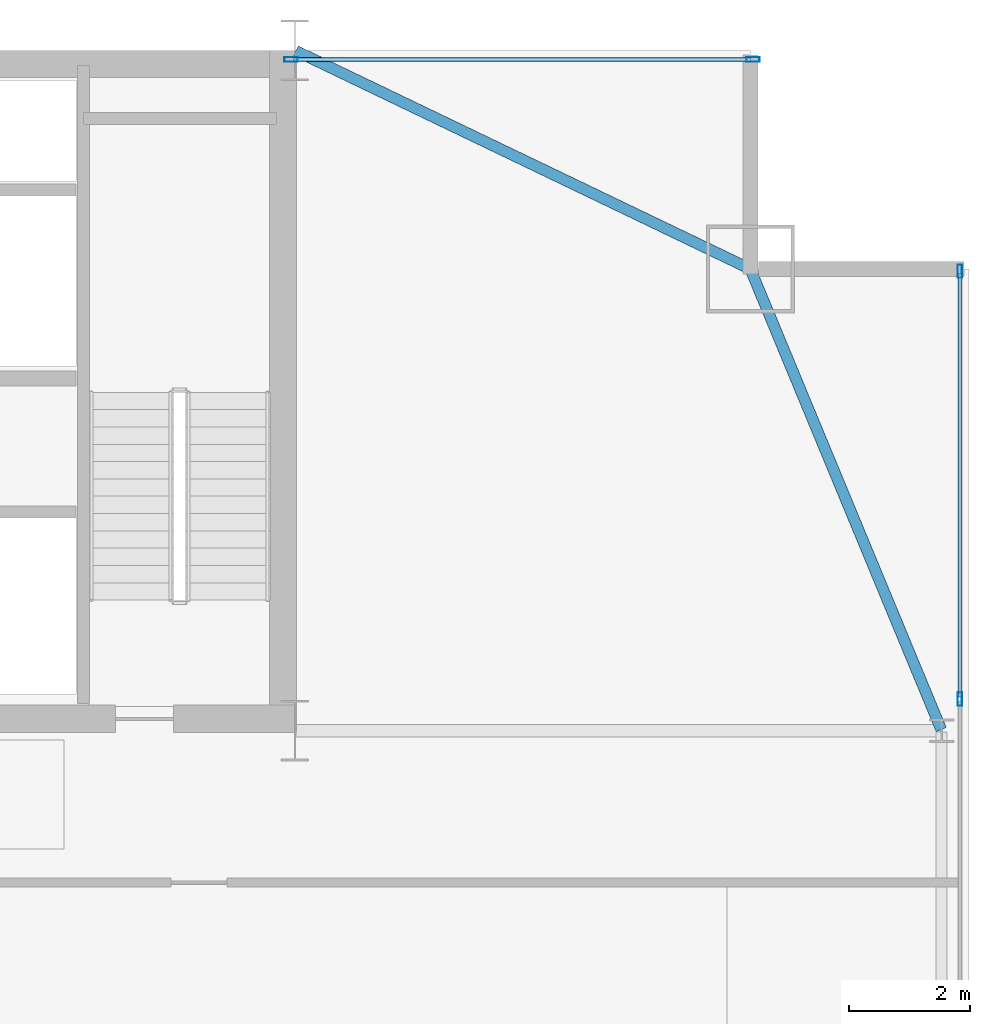
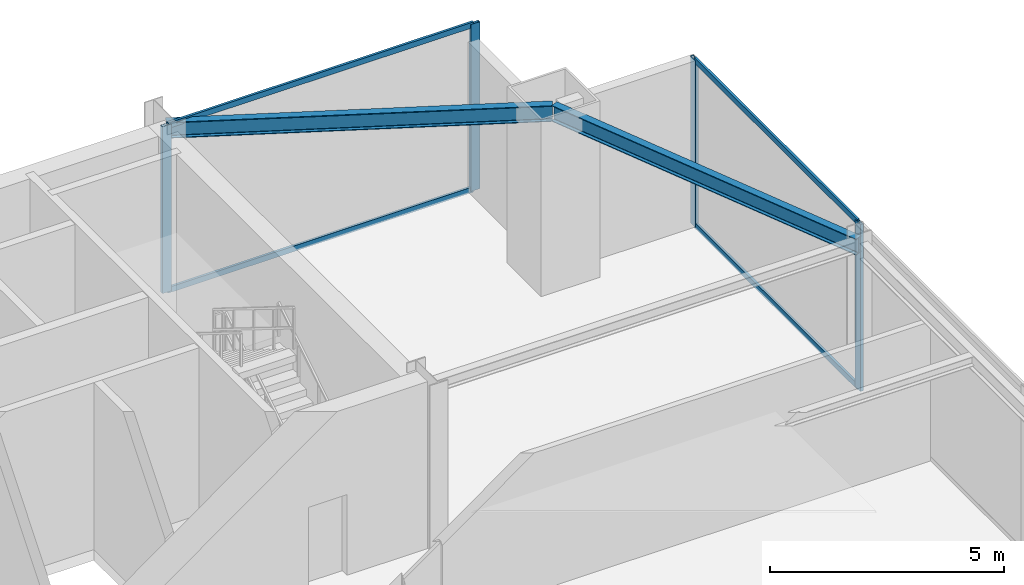
# One storey, part 27 of 32: 8 members, 2 beams, 2 elements without a shape of their own.
"""IFC4 building model written with IfcOpenShell, lengths in metres."""

from ifc_helpers import new_model, si_unit, direction, frame, origin, origin_2d, place, context, subcontext, project, spatial, hollow_rectangle, i_section, extrude, source, transform, mapped, material, layer, layer_set, material_profile, profile_set, type_object, type_shapes, element, aggregate, save


model = new_model("IFC4")

# Units and contexts
model_context = context("Model", 3, precision=1e-05, world=origin(), true_north=direction((0.0, 1.0)))
body_context = subcontext(model_context, "Body", "Model", "MODEL_VIEW")
ifc_project = project(units=[si_unit("LENGTHUNIT", "METRE"), si_unit("AREAUNIT", "SQUARE_METRE"), si_unit("VOLUMEUNIT", "CUBIC_METRE"), si_unit("PLANEANGLEUNIT", "RADIAN"), si_unit("MASSUNIT", "GRAM", prefix="KILO")], contexts=[model_context])

# Site, building, storey
site_placement = place(None, origin())
site = spatial("IfcSite", under=ifc_project, at=site_placement, CompositionType="ELEMENT")
building_placement = place(site_placement, origin())
building = spatial("IfcBuilding", under=site, at=building_placement, Name="Varnel Quay Broadcast Tower", CompositionType="ELEMENT")
storey_placement = place(building_placement, frame((0.0, 0.0, 98.39990234375)))
storey = spatial("IfcBuildingStorey", under=building, at=storey_placement, Name="L23", CompositionType="ELEMENT", Elevation=98.39990234375)

# Beams
ifc_material_1 = material(Name="Structural Steel CSA G40.21 350W", Category="steel")
ifc_material_profile_1 = material_profile(ifc_material_1, i_section(OverallWidth=0.180908203125, OverallDepth=0.4169921875, WebThickness=0.010986328125, FlangeThickness=0.018310546875, FilletRadius=0.011962890625, at=origin_2d()), Name="W410X85")
ifc_profile_set_1 = profile_set([ifc_material_profile_1], Name="Structural Steel CSA G40.21 350W")
beam_type = type_object("IfcBeamType", Name="Beam_W410X85", PredefinedType="SPANDREL", material=ifc_profile_set_1)
shared_shape_1 = source(origin(), body_context, "Body", "SweptSolid", [
    extrude(i_section(OverallWidth=0.180908203125, OverallDepth=0.4169921875, WebThickness=0.010986328125, FlangeThickness=0.018310546875, FilletRadius=0.011962890625, at=origin_2d()), origin(), (0.0, 0.0, 1.0), 8.186767578125),
])
beam_1_placement = place(storey_placement, frame((63.042236328125, 35.618408203125, 4.1416015625), z_axis=(-0.382874132092, 0.923800519038, 0.0), x_axis=(-0.923800519038, -0.382874132092, 0.0)))
element("IfcBeam", 1, at=beam_1_placement, inside=storey, type_object=beam_type, Name="L23 East Spandrel TC-E3-MC-NE", PredefinedType="SPANDREL", context=body_context, shape_type="MappedRepresentation", body=[
    mapped(shared_shape_1, transform((0.0, 0.0, 0.0), x_axis=(1.0, 0.0, 0.0), y_axis=(0.0, 1.0, 0.0), z_axis=(0.0, 0.0, 1.0), scale=1.0)),
])
shared_shape_2 = source(origin(), body_context, "Body", "SweptSolid", [
    extrude(i_section(OverallWidth=0.180908203125, OverallDepth=0.4169921875, WebThickness=0.010986328125, FlangeThickness=0.018310546875, FilletRadius=0.011962890625, at=origin_2d()), origin(), (0.0, 0.0, 1.0), 8.279296875),
])
type_shapes(beam_type, [shared_shape_1, shared_shape_2])
beam_2_placement = place(storey_placement, frame((52.41796875, 46.791259765625, 4.1416015625), z_axis=(0.901535021024, -0.432706142626, 0.0), x_axis=(0.432706142626, 0.901535021024, 0.0)))
element("IfcBeam", 2, at=beam_2_placement, inside=storey, type_object=beam_type, Name="L23 NE Tie Spandrel", PredefinedType="SPANDREL", context=body_context, shape_type="MappedRepresentation", body=[
    mapped(shared_shape_2, transform((0.0, 0.0, 0.0), x_axis=(1.0, 0.0, 0.0), y_axis=(0.0, 1.0, 0.0), z_axis=(0.0, 0.0, 1.0), scale=1.0)),
])

# Curtain wall, members
ifc_material_2 = material(Name="Anodised Bronze Aluminium 6063-T6", Category="aluminium")
ifc_layer = layer(ifc_material_2, 0.18994140625, Name="Anodised Bronze Aluminium 6063-T6")
ifc_layer_set = layer_set([ifc_layer], Name="Anodised Bronze Aluminium 6063-T6")
curtain_wall_type = type_object("IfcCurtainWallType", Name="CW_SkyObsHighVis", PredefinedType="NOTDEFINED", material=ifc_layer_set)
curtain_wall_1_placement = place(storey_placement, origin())
curtain_wall_1 = element("IfcCurtainWall", 3, at=curtain_wall_1_placement, inside=storey, type_object=curtain_wall_type, Name="L23 East Unitised Curtain Wall", PredefinedType="NOTDEFINED")
ifc_material_profile_2 = material_profile(ifc_material_2, hollow_rectangle(XDim=0.074951171875, YDim=0.219970703125, WallThickness=0.00390625, at=origin_2d()), Name="ALU75X220X4")
ifc_profile_set_2 = profile_set([ifc_material_profile_2], Name="Anodised Bronze Aluminium 6063-T6")
member_type_1 = type_object("IfcMemberType", Name="Mull_CWS-05", PredefinedType="MULLION", material=ifc_profile_set_2)
shared_shape_3 = source(origin(), body_context, "Body", "SweptSolid", [
    extrude(hollow_rectangle(XDim=0.074951171875, YDim=0.219970703125, WallThickness=0.00390625, at=origin_2d()), origin(), (0.0, 0.0, 1.0), 4.35009765625),
])
type_shapes(member_type_1, [shared_shape_3])
member_1_placement = place(storey_placement, frame((63.35009765625, 36.1201171875, 0.0), z_axis=(0.0, 0.0, 1.0), x_axis=(-1.0, 0.0, 0.0)))
member_1 = element("IfcMember", 4, at=member_1_placement, type_object=member_type_1, Name="CWS-05 mullion 5", PredefinedType="MULLION", context=body_context, shape_type="MappedRepresentation", body=[
    mapped(shared_shape_3, transform((0.0, 0.0, 0.0), x_axis=(1.0, 0.0, 0.0), y_axis=(0.0, 1.0, 0.0), z_axis=(0.0, 0.0, 1.0), scale=1.0)),
])
member_2_placement = place(storey_placement, frame((63.35009765625, 43.16259765625, 0.0), z_axis=(0.0, 0.0, 1.0), x_axis=(-1.0, 0.0, 0.0)))
member_2 = element("IfcMember", 5, at=member_2_placement, type_object=member_type_1, Name="CWS-05 mullion 6", PredefinedType="MULLION", context=body_context, shape_type="MappedRepresentation", body=[
    mapped(shared_shape_3, transform((0.0, 0.0, 0.0), x_axis=(1.0, 0.0, 0.0), y_axis=(0.0, 1.0, 0.0), z_axis=(0.0, 0.0, 1.0), scale=1.0)),
])

curtain_wall_2_placement = place(storey_placement, origin())
curtain_wall_2 = element("IfcCurtainWall", 6, at=curtain_wall_2_placement, inside=storey, type_object=curtain_wall_type, Name="L23 NE Wing Curtain Wall", PredefinedType="NOTDEFINED")
member_3_placement = place(storey_placement, frame((52.33740234375, 46.64990234375, 0.0), z_axis=(0.0, 0.0, 1.0), x_axis=(0.0, 1.0, 0.0)))
member_3 = element("IfcMember", 7, at=member_3_placement, type_object=member_type_1, Name="CWS-05 mullion 1", PredefinedType="MULLION", context=body_context, shape_type="MappedRepresentation", body=[
    mapped(shared_shape_3, transform((0.0, 0.0, 0.0), x_axis=(1.0, 0.0, 0.0), y_axis=(0.0, 1.0, 0.0), z_axis=(0.0, 0.0, 1.0), scale=1.0)),
])
member_4_placement = place(storey_placement, frame((59.9423828125, 46.64990234375, 0.0), z_axis=(0.0, 0.0, 1.0), x_axis=(0.0, 1.0, 0.0)))
member_4 = element("IfcMember", 8, at=member_4_placement, type_object=member_type_1, Name="CWS-05 mullion 2", PredefinedType="MULLION", context=body_context, shape_type="MappedRepresentation", body=[
    mapped(shared_shape_3, transform((0.0, 0.0, 0.0), x_axis=(1.0, 0.0, 0.0), y_axis=(0.0, 1.0, 0.0), z_axis=(0.0, 0.0, 1.0), scale=1.0)),
])

# Member
ifc_material_profile_3 = material_profile(ifc_material_2, hollow_rectangle(XDim=0.06005859375, YDim=0.14501953125, WallThickness=0.00341796875, at=origin_2d()), Name="ALU60X145X3.5")
ifc_profile_set_3 = profile_set([ifc_material_profile_3], Name="Anodised Bronze Aluminium 6063-T6")
member_type_2 = type_object("IfcMemberType", Name="Tran_CWS-05", PredefinedType="USERDEFINED", material=ifc_profile_set_3)
shared_shape_4 = source(origin(), body_context, "Body", "SweptSolid", [
    extrude(hollow_rectangle(XDim=0.06005859375, YDim=0.14501953125, WallThickness=0.00341796875, at=origin_2d()), origin(), (0.0, 0.0, 1.0), 6.967529296875),
])
member_5_placement = place(storey_placement, frame((63.35009765625, 36.157470703125, 0.030029296875), z_axis=(0.0, 1.0, 0.0), x_axis=(-1.0, 0.0, 0.0)))
member_5 = element("IfcMember", 9, at=member_5_placement, type_object=member_type_2, Name="CWS-05 transom 5.1", ObjectType="TRANSOM", PredefinedType="USERDEFINED", context=body_context, shape_type="MappedRepresentation", body=[
    mapped(shared_shape_4, transform((0.0, 0.0, 0.0), x_axis=(1.0, 0.0, 0.0), y_axis=(0.0, 1.0, 0.0), z_axis=(0.0, 0.0, 1.0), scale=1.0)),
])

member_6_placement = place(storey_placement, frame((63.35009765625, 36.157470703125, 4.320068359375), z_axis=(0.0, 1.0, 0.0), x_axis=(-1.0, 0.0, 0.0)))
member_6 = element("IfcMember", 10, at=member_6_placement, type_object=member_type_2, Name="CWS-05 transom 5.2", ObjectType="TRANSOM", PredefinedType="USERDEFINED", context=body_context, shape_type="MappedRepresentation", body=[
    mapped(shared_shape_4, transform((0.0, 0.0, 0.0), x_axis=(1.0, 0.0, 0.0), y_axis=(0.0, 1.0, 0.0), z_axis=(0.0, 0.0, 1.0), scale=1.0)),
])

aggregate(curtain_wall_1, [member_1, member_2, member_5, member_6])

shared_shape_5 = source(origin(), body_context, "Body", "SweptSolid", [
    extrude(hollow_rectangle(XDim=0.06005859375, YDim=0.14501953125, WallThickness=0.00341796875, at=origin_2d()), origin(), (0.0, 0.0, 1.0), 7.530029296875),
])
type_shapes(member_type_2, [shared_shape_4, shared_shape_5])
member_7_placement = place(storey_placement, frame((52.375, 46.64990234375, 0.030029296875), z_axis=(1.0, 0.0, 0.0), x_axis=(0.0, 1.0, 0.0)))
member_7 = element("IfcMember", 11, at=member_7_placement, type_object=member_type_2, Name="CWS-05 transom 1.1", ObjectType="TRANSOM", PredefinedType="USERDEFINED", context=body_context, shape_type="MappedRepresentation", body=[
    mapped(shared_shape_5, transform((0.0, 0.0, 0.0), x_axis=(1.0, 0.0, 0.0), y_axis=(0.0, 1.0, 0.0), z_axis=(0.0, 0.0, 1.0), scale=1.0)),
])

member_8_placement = place(storey_placement, frame((52.375, 46.64990234375, 4.320068359375), z_axis=(1.0, 0.0, 0.0), x_axis=(0.0, 1.0, 0.0)))
member_8 = element("IfcMember", 12, at=member_8_placement, type_object=member_type_2, Name="CWS-05 transom 1.2", ObjectType="TRANSOM", PredefinedType="USERDEFINED", context=body_context, shape_type="MappedRepresentation", body=[
    mapped(shared_shape_5, transform((0.0, 0.0, 0.0), x_axis=(1.0, 0.0, 0.0), y_axis=(0.0, 1.0, 0.0), z_axis=(0.0, 0.0, 1.0), scale=1.0)),
])

aggregate(curtain_wall_2, [member_3, member_4, member_7, member_8])

save(model, "model.ifc")
